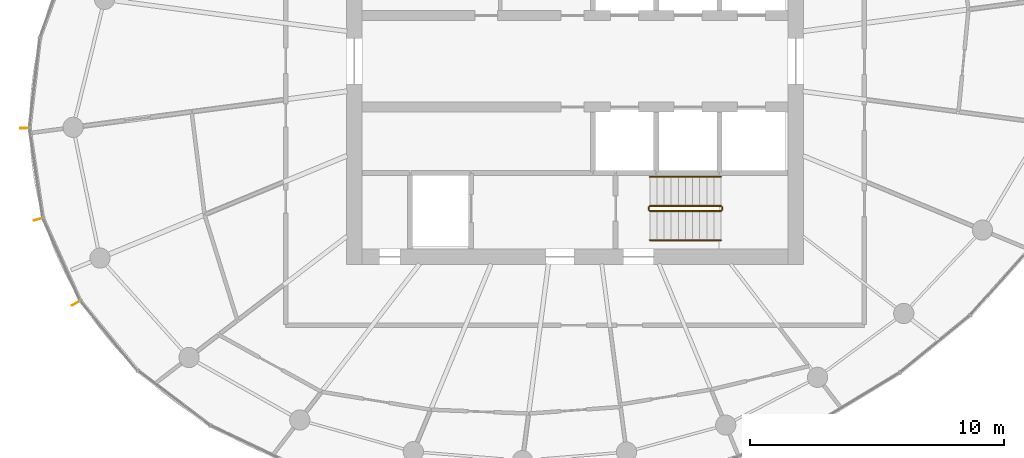
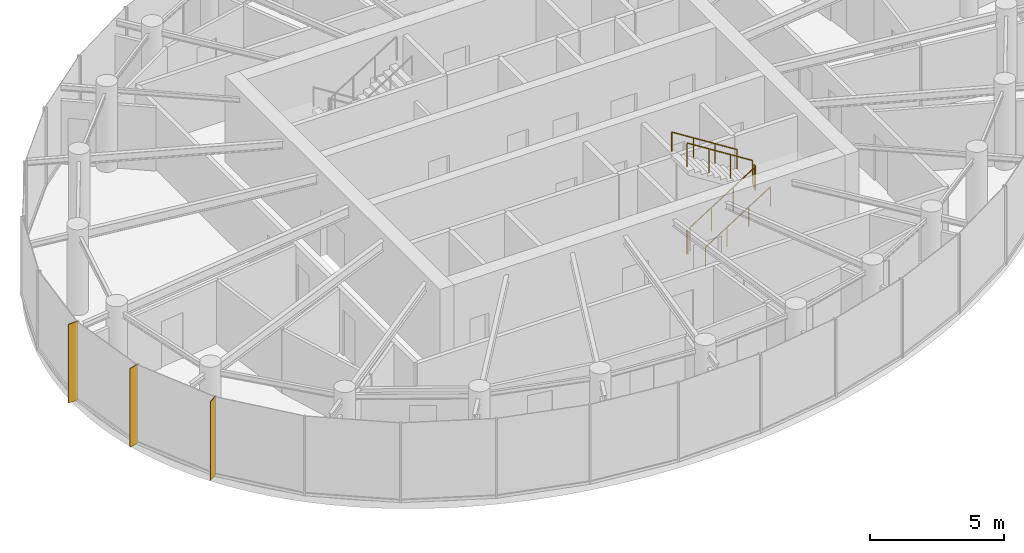
# One storey, part 12 of 13: 6 railings, 3 shading devices.
"""IFC4 building model written with IfcOpenShell, lengths in metres."""

from ifc_helpers import new_model, si_unit, direction, frame, origin, origin_2d, place, context, subcontext, project, spatial, rectangle, circle, extrude, source, transform, mapped, material, material_profile, profile_set, type_object, element, save


model = new_model("IFC4")

# Units and contexts
model_context = context("Model", 3, precision=1e-05, world=origin(), true_north=direction((0.0, 1.0)))
body_context = subcontext(model_context, "Body", "Model", "MODEL_VIEW")
ifc_project = project(units=[si_unit("LENGTHUNIT", "METRE"), si_unit("AREAUNIT", "SQUARE_METRE"), si_unit("VOLUMEUNIT", "CUBIC_METRE"), si_unit("PLANEANGLEUNIT", "RADIAN"), si_unit("MASSUNIT", "GRAM", prefix="KILO")], contexts=[model_context])

# Site, building, storey
site_placement = place(None, origin())
site = spatial("IfcSite", under=ifc_project, at=site_placement, CompositionType="ELEMENT")
building_placement = place(site_placement, origin())
building = spatial("IfcBuilding", under=site, at=building_placement, Name="Spindrift Exchange Tower", CompositionType="ELEMENT")
storey_placement = place(building_placement, frame((0.0, 0.0, 254.0)))
storey = spatial("IfcBuildingStorey", under=building, at=storey_placement, Name="L62", CompositionType="ELEMENT", Elevation=254.0)

# Railings
ifc_material_1 = material(Name="Steel balustrade", Category="steel")
railing_type_1 = type_object("IfcRailingType", Name="RL-STAIR-GUARD", PredefinedType="GUARDRAIL", material=ifc_material_1)
railing_1_placement = place(storey_placement, frame((54.949951171875, 42.10009765625, 0.17724609375)))
element("IfcRailing", 1, at=railing_1_placement, inside=storey, type_object=railing_type_1, Name="L62 ST2 stair guard 1", PredefinedType="GUARDRAIL", context=body_context, shape_type="SweptSolid", body=[
    extrude(circle(Radius=0.02392578125, at=origin_2d()), frame((0.0, 0.0, 1.076171875), z_axis=(0.844908973607, 0.0, 0.534910110503), x_axis=(0.0, 1.0, 0.0)), (0.0, 0.0, 1.0), 3.31396484375),
    extrude(circle(Radius=0.02099609375, at=origin_2d()), origin(), (0.0, 0.0, 1.0), 1.052001953125),
    extrude(circle(Radius=0.02099609375, at=origin_2d()), frame((0.933349609375, 0.0, 0.5908203125)), (0.0, 0.0, 1.0), 1.052001953125),
    extrude(circle(Radius=0.02099609375, at=origin_2d()), frame((1.86669921875, 0.0, 1.181884765625)), (0.0, 0.0, 1.0), 1.052001953125),
    extrude(circle(Radius=0.02099609375, at=origin_2d()), frame((2.800048828125, 0.0, 1.772705078125)), (0.0, 0.0, 1.0), 1.052001953125),
])
railing_2_placement = place(storey_placement, frame((57.800048828125, 42.14990234375, 1.949951171875)))
element("IfcRailing", 2, at=railing_2_placement, inside=storey, type_object=railing_type_1, Name="L62 ST2 stair guard 2", PredefinedType="GUARDRAIL", context=body_context, shape_type="SweptSolid", body=[
    extrude(circle(Radius=0.02392578125, at=origin_2d()), frame((0.0, 0.0, 1.076171875), z_axis=(0.0, 1.0, 0.0), x_axis=(-1.0, 0.0, 0.0)), (0.0, 0.0, 1.0), 0.10009765625),
    extrude(circle(Radius=0.02099609375, at=origin_2d()), origin(), (0.0, 0.0, 1.0), 1.052001953125),
    extrude(circle(Radius=0.02099609375, at=origin_2d()), frame((0.0, 0.10009765625, 0.0)), (0.0, 0.0, 1.0), 1.052001953125),
])
railing_3_placement = place(storey_placement, frame((57.75, 42.300048828125, 2.127197265625)))
element("IfcRailing", 3, at=railing_3_placement, inside=storey, type_object=railing_type_1, Name="L62 ST2 stair guard 3", PredefinedType="GUARDRAIL", context=body_context, shape_type="SweptSolid", body=[
    extrude(circle(Radius=0.02392578125, at=origin_2d()), frame((0.0, 0.0, 1.076171875), z_axis=(-0.844908973607, 0.0, 0.534910110503), x_axis=(0.0, -1.0, 0.0)), (0.0, 0.0, 1.0), 3.31396484375),
    extrude(circle(Radius=0.02099609375, at=origin_2d()), origin(), (0.0, 0.0, 1.0), 1.052001953125),
    extrude(circle(Radius=0.02099609375, at=origin_2d()), frame((-0.933349609375, 0.0, 0.5908203125)), (0.0, 0.0, 1.0), 1.052001953125),
    extrude(circle(Radius=0.02099609375, at=origin_2d()), frame((-1.86669921875, 0.0, 1.181884765625)), (0.0, 0.0, 1.0), 1.052001953125),
    extrude(circle(Radius=0.02099609375, at=origin_2d()), frame((-2.800048828125, 0.0, 1.772705078125)), (0.0, 0.0, 1.0), 1.052001953125),
])
railing_4_placement = place(storey_placement, frame((54.89990234375, 42.14990234375, 0.0)))
element("IfcRailing", 4, at=railing_4_placement, inside=storey, type_object=railing_type_1, Name="L62 ST2 stair guard 4", PredefinedType="GUARDRAIL", context=body_context, shape_type="SweptSolid", body=[
    extrude(circle(Radius=0.02392578125, at=origin_2d()), frame((0.0, 0.0, 1.076171875), z_axis=(0.0, 1.0, 0.0), x_axis=(-1.0, 0.0, 0.0)), (0.0, 0.0, 1.0), 0.10009765625),
    extrude(circle(Radius=0.02099609375, at=origin_2d()), origin(), (0.0, 0.0, 1.0), 1.052001953125),
    extrude(circle(Radius=0.02099609375, at=origin_2d()), frame((0.0, 0.10009765625, 0.0)), (0.0, 0.0, 1.0), 1.052001953125),
])
ifc_material_2 = material(Name="Steel tubular handrail", Category="steel")
railing_type_2 = type_object("IfcRailingType", Name="RL-STAIR-HAND", PredefinedType="HANDRAIL", material=ifc_material_2)
railing_5_placement = place(storey_placement, frame((54.949951171875, 40.949951171875, 0.17724609375)))
element("IfcRailing", 5, at=railing_5_placement, inside=storey, type_object=railing_type_2, Name="L62 ST2 stair handrail 1", PredefinedType="HANDRAIL", context=body_context, shape_type="SweptSolid", body=[
    extrude(circle(Radius=0.02392578125, at=origin_2d()), frame((0.0, 0.0, 0.8759765625), z_axis=(0.844908973607, 0.0, 0.534910110503), x_axis=(0.0, 1.0, 0.0)), (0.0, 0.0, 1.0), 3.31396484375),
    extrude(circle(Radius=0.02099609375, at=origin_2d()), origin(), (0.0, 0.0, 1.0), 0.851806640625),
    extrude(circle(Radius=0.02099609375, at=origin_2d()), frame((0.933349609375, 0.0, 0.5908203125)), (0.0, 0.0, 1.0), 0.851806640625),
    extrude(circle(Radius=0.02099609375, at=origin_2d()), frame((1.86669921875, 0.0, 1.181884765625)), (0.0, 0.0, 1.0), 0.851806640625),
    extrude(circle(Radius=0.02099609375, at=origin_2d()), frame((2.800048828125, 0.0, 1.772705078125)), (0.0, 0.0, 1.0), 0.851806640625),
])
railing_6_placement = place(storey_placement, frame((57.75, 43.449951171875, 2.127197265625)))
element("IfcRailing", 6, at=railing_6_placement, inside=storey, type_object=railing_type_2, Name="L62 ST2 stair handrail 2", PredefinedType="HANDRAIL", context=body_context, shape_type="SweptSolid", body=[
    extrude(circle(Radius=0.02392578125, at=origin_2d()), frame((0.0, 0.0, 0.8759765625), z_axis=(-0.844908973607, 0.0, 0.534910110503), x_axis=(0.0, -1.0, 0.0)), (0.0, 0.0, 1.0), 3.31396484375),
    extrude(circle(Radius=0.02099609375, at=origin_2d()), origin(), (0.0, 0.0, 1.0), 0.851806640625),
    extrude(circle(Radius=0.02099609375, at=origin_2d()), frame((-0.933349609375, 0.0, 0.5908203125)), (0.0, 0.0, 1.0), 0.851806640625),
    extrude(circle(Radius=0.02099609375, at=origin_2d()), frame((-1.86669921875, 0.0, 1.181884765625)), (0.0, 0.0, 1.0), 0.851806640625),
    extrude(circle(Radius=0.02099609375, at=origin_2d()), frame((-2.800048828125, 0.0, 1.772705078125)), (0.0, 0.0, 1.0), 0.851806640625),
])

# Shading devices
ifc_material_3 = material(Name="Bronze anodised aluminium", Category="aluminium")
ifc_material_profile = material_profile(ifc_material_3, rectangle(XDim=0.030029296875, YDim=0.39990234375, at=origin_2d()), Name="WIND FIN 30X400")
ifc_profile_set = profile_set([ifc_material_profile], Name="Bronze anodised aluminium")
shading_device_type = type_object("IfcShadingDeviceType", Name="WIND FIN 30X400", PredefinedType="USERDEFINED", material=ifc_profile_set)
shared_shape = source(origin(), body_context, "Body", "SweptSolid", [
    extrude(rectangle(XDim=0.030029296875, YDim=0.39990234375, at=origin_2d()), origin(), (0.0, 0.0, 1.0), 3.580078125),
])
for number, where, z_axis, x_axis, name in (
    (7, (30.330078125, 45.365478515625, 0.0), (0.0, 0.0, 1.0), (0.016609534699, -0.999862052164, 0.0), "L62 wind fin 1"),
    (8, (30.8662109375, 41.7822265625, 0.0), (0.0, 0.0, 1.0), (0.282237647428, -0.959344521209, 0.0), "L62 wind fin 2"),
    (9, (32.35595703125, 38.4794921875, 0.0), (0.0, 0.0, 1.0), (0.527510453317, -0.849548539897, 0.0), "L62 wind fin 3"),
):
    element("IfcShadingDevice", number, at=place(storey_placement, frame(where, z_axis=z_axis, x_axis=x_axis)), inside=storey, type_object=shading_device_type, Name=name, ObjectType="FIN", PredefinedType="USERDEFINED", context=body_context, shape_type="MappedRepresentation", body=[
        mapped(shared_shape, transform((0.0, 0.0, 0.0), scale=1.0)),
    ])

save(model, "model.ifc")
